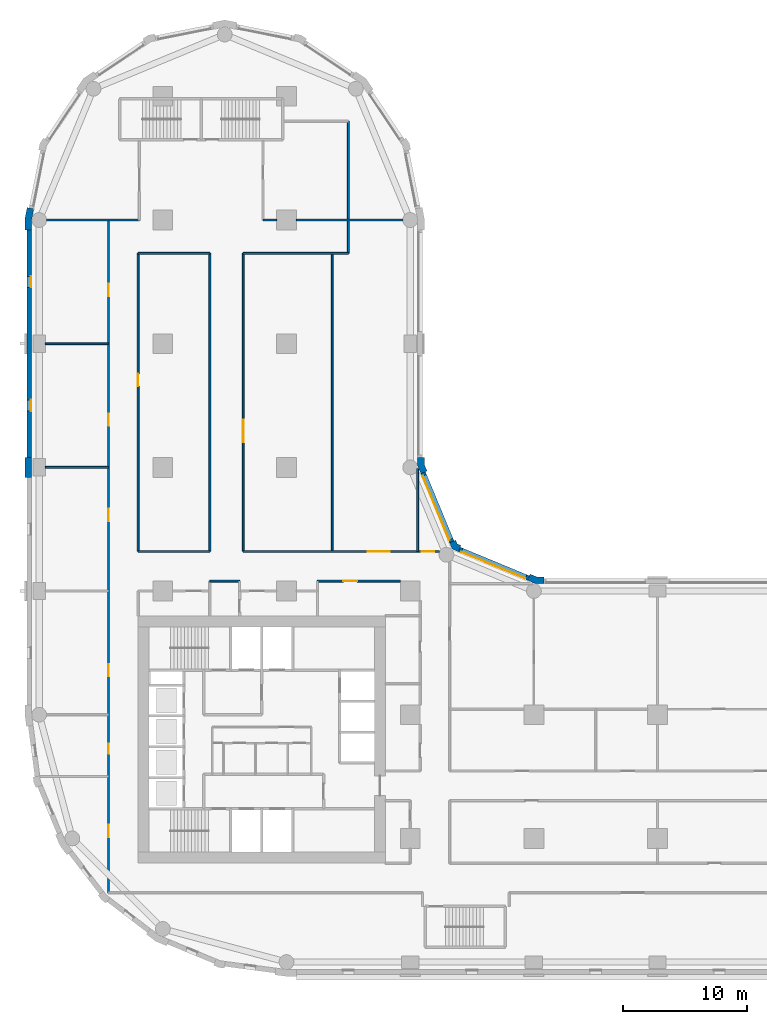
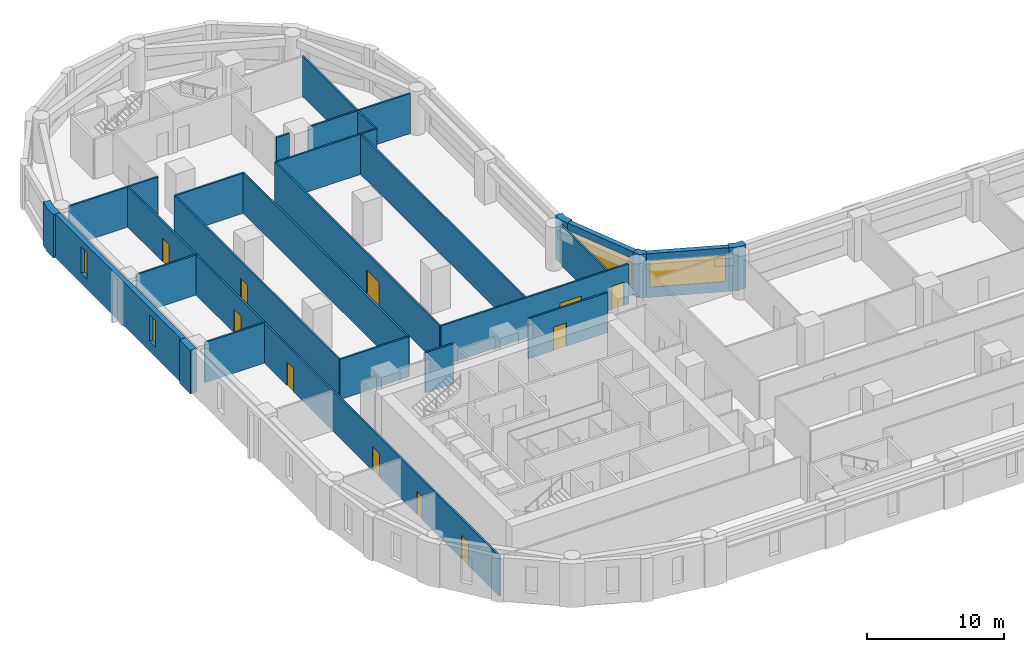
# One storey, part 5 of 10: 26 walls, 11 doors, 4 windows, 15 openings.
"""IFC4 building model written with IfcOpenShell, lengths in metres."""

import ifcopenshell
import ifcopenshell.guid

model = None  # the IFC model being written
_history = None  # IfcOwnerHistory: only IFC2X3 demands one
_inside = {}  # id of a spatial element -> (the spatial element, [elements in it])
_under = {}  # id of a project, library or spatial element -> (it, [spatial elements below it])
_declared = {}  # id of a project -> (the project, [libraries it declares])
_typed = {}  # id of a type object -> (the type object, [elements of that type])
_made_of = {}  # id of a material, layer set ... -> (it, [elements and type objects made of it])


def new_model(schema):
    """Start an empty IFC model of exactly this schema.

    Asked for "IFC4X3", IfcOpenShell would pick the latest addendum, in which some entities
    have other attributes; the version numbers below select the first issue.
    IFC2X3 requires an IfcOwnerHistory on every rooted entity: one is made here for all.
    """
    global model, _history
    if schema == "IFC4X3":
        model = ifcopenshell.file(schema_version=(4, 3, 0, 0))
    else:
        model = ifcopenshell.file(schema=schema)
    _inside.clear()
    _under.clear()
    _declared.clear()
    _typed.clear()
    _made_of.clear()
    _history = None
    if model.schema == "IFC2X3":
        org = make("IfcOrganization", Name="unknown")
        user = make(
            "IfcPersonAndOrganization",
            ThePerson=make("IfcPerson", FamilyName="unknown"),
            TheOrganization=org,
        )
        app = make(
            "IfcApplication",
            ApplicationDeveloper=org,
            Version="unknown",
            ApplicationFullName="unknown",
            ApplicationIdentifier="unknown",
        )
        _history = make(
            "IfcOwnerHistory",
            OwningUser=user,
            OwningApplication=app,
            ChangeAction="ADDED",
            CreationDate=0,
        )
    return model


def make(cls, **values):
    """One entity of the class cls with the attributes given. An attribute that is None is left unset."""
    return model.create_entity(
        cls, **{name: value for name, value in values.items() if value is not None}
    )


def rooted(cls, **values):
    """An entity with a GlobalId (a new one), such as an element, a storey or a relation."""
    return make(cls, GlobalId=ifcopenshell.guid.new(), OwnerHistory=_history, **values)


def si_unit(unit_type, name, prefix=None):
    """IfcSIUnit, for example si_unit("LENGTHUNIT", "METRE", prefix="MILLI")."""
    return make("IfcSIUnit", UnitType=unit_type, Prefix=prefix, Name=name)


def assignment(units):
    """IfcUnitAssignment: the units of a project."""
    return None if units is None else make("IfcUnitAssignment", Units=units)


def point(xyz):
    """IfcCartesianPoint."""
    return None if xyz is None else make("IfcCartesianPoint", Coordinates=xyz)


def direction(xyz):
    """IfcDirection."""
    return None if xyz is None else make("IfcDirection", DirectionRatios=xyz)


def frame(location, z_axis=None, x_axis=None):
    """IfcAxis2Placement3D, a coordinate frame: its origin and axes. An axis left out is left unset."""
    return make(
        "IfcAxis2Placement3D",
        Location=point(location),
        Axis=direction(z_axis),
        RefDirection=direction(x_axis),
    )


def frame_2d(location, x_axis=None):
    """IfcAxis2Placement2D, a coordinate frame in the plane: its origin and x axis."""
    return make(
        "IfcAxis2Placement2D", Location=point(location), RefDirection=direction(x_axis)
    )


def origin():
    """The frame at (0, 0, 0) with its axes left unset."""
    return frame((0.0, 0.0, 0.0))


def place(relative_to, where):
    """IfcLocalPlacement: puts the frame where relative to a parent placement (None: the world)."""
    return make(
        "IfcLocalPlacement", PlacementRelTo=relative_to, RelativePlacement=where
    )


def context(
    kind, dimensions, precision=None, world=None, true_north=None, identifier=None
):
    """IfcGeometricRepresentationContext, for example the 3D "Model" context."""
    return make(
        "IfcGeometricRepresentationContext",
        ContextIdentifier=identifier,
        ContextType=kind,
        CoordinateSpaceDimension=dimensions,
        Precision=precision,
        WorldCoordinateSystem=world,
        TrueNorth=true_north,
    )


def subcontext(parent, identifier, kind, view, scale=None):
    """IfcGeometricRepresentationSubContext, for example "Body" below "Model"."""
    return make(
        "IfcGeometricRepresentationSubContext",
        ContextIdentifier=identifier,
        ContextType=kind,
        ParentContext=parent,
        TargetScale=scale,
        TargetView=view,
    )


def project(units=None, contexts=None):
    """IfcProject with its units and contexts."""
    return rooted(
        "IfcProject",
        Name="project",
        RepresentationContexts=contexts,
        UnitsInContext=assignment(units),
    )


def spatial(cls, under=None, at=None, **own):
    """A site, building, storey or space (cls), placed at a placement, below another one or the project."""
    s = rooted(cls, ObjectPlacement=at, **own)
    if under is not None:
        _under.setdefault(under.id(), (under, []))[1].append(s)
    return s


def polyline(points):
    """IfcPolyline through the points."""
    return make("IfcPolyline", Points=[point(p) for p in points])


def profile(cls, at=None, kind="AREA", **sizes):
    """A parametric profile (cls). Its sizes go by their IFC names, for example OverallWidth=200.0."""
    return make(cls, ProfileType=kind, Position=at, **sizes)


def rectangle(**sizes):
    """IfcRectangleProfileDef."""
    return profile("IfcRectangleProfileDef", **sizes)


def outline(outer, holes=None, kind="AREA"):
    """IfcArbitraryClosedProfileDef: a profile drawn as a closed curve; with holes, ...WithVoids."""
    if holes is None:
        return make("IfcArbitraryClosedProfileDef", ProfileType=kind, OuterCurve=outer)
    return make(
        "IfcArbitraryProfileDefWithVoids",
        ProfileType=kind,
        OuterCurve=outer,
        InnerCurves=holes,
    )


def extrude(swept, where, along, depth):
    """IfcExtrudedAreaSolid: the profile swept, set in the frame where, extruded along a direction by depth."""
    return make(
        "IfcExtrudedAreaSolid",
        SweptArea=swept,
        Position=where,
        ExtrudedDirection=direction(along),
        Depth=depth,
    )


def shape(context_of_items, identifier, shape_type, items):
    """IfcShapeRepresentation: the items that make up one representation, for example the "Body"."""
    return make(
        "IfcShapeRepresentation",
        ContextOfItems=context_of_items,
        RepresentationIdentifier=identifier,
        RepresentationType=shape_type,
        Items=items,
    )


def material(Name=None, Category=None):
    """IfcMaterial."""
    return make("IfcMaterial", Name=Name, Category=Category)


def layer(
    of_material, thickness, ventilated=None, Name=None, Category=None, Priority=None
):
    """IfcMaterialLayer: one layer of a wall or slab, of a material (None: an air gap)."""
    return make(
        "IfcMaterialLayer",
        Material=of_material,
        LayerThickness=thickness,
        IsVentilated=ventilated,
        Name=Name,
        Category=Category,
        Priority=Priority,
    )


def layer_set(layers, Name=None):
    """IfcMaterialLayerSet."""
    return make("IfcMaterialLayerSet", MaterialLayers=layers, LayerSetName=Name)


def made_of(thing, what):
    """Note that an element or type object is made of a material, layer set ...; save() writes the relation."""
    if what is not None:
        _made_of.setdefault(what.id(), (what, []))[1].append(thing)
    return thing


def type_object(cls, material=None, **own):
    """A type object (cls), such as IfcWallType, which elements share."""
    return made_of(rooted(cls, **own), material)


def element(
    cls,
    number,
    at=None,
    inside=None,
    cuts=None,
    type_object=None,
    material=None,
    context=None,
    identifier="Body",
    shape_type=None,
    held_by="IfcProductDefinitionShape",
    body=None,
    shapes=None,
    **own,
):
    """One element of the class cls, such as IfcWall. Its Tag is "e" and its number.

    at: its placement. inside: the storey or other place that contains it. cuts: it is an
    opening in that element (IfcRelVoidsElement). A single representation is given by context,
    identifier, shape_type and body (its items); several are given by shapes. held_by: the class
    of the entity that holds the representations. save() writes the other relations.
    """
    e = rooted(cls, Tag="e%d" % number, ObjectPlacement=at, **own)
    if body is not None:
        shapes = [shape(context, identifier, shape_type, body)]
    if shapes is not None:
        e.Representation = make(held_by, Representations=shapes)
    if inside is not None:
        _inside.setdefault(inside.id(), (inside, []))[1].append(e)
    if cuts is not None:
        rooted(
            "IfcRelVoidsElement", RelatingBuildingElement=cuts, RelatedOpeningElement=e
        )
    if type_object is not None:
        _typed.setdefault(type_object.id(), (type_object, []))[1].append(e)
    return made_of(e, material)


def fill(opening, filler):
    """IfcRelFillsElement: the door or window that sits in an opening."""
    return rooted(
        "IfcRelFillsElement",
        RelatingOpeningElement=opening,
        RelatedBuildingElement=filler,
    )


def aggregate(whole, parts):
    """IfcRelAggregates: a whole, such as a stair, and the parts it consists of."""
    return rooted("IfcRelAggregates", RelatingObject=whole, RelatedObjects=parts)


def save(model, path):
    """Write the relations noted so far, then the file.

    IfcRelAggregates (storeys below a building ...), IfcRelContainedInSpatialStructure (elements
    in a storey), IfcRelDefinesByType, IfcRelAssociatesMaterial and IfcRelDeclares: one each for
    every whole, place, type object, material and project.
    """
    for whole, parts in _under.values():
        aggregate(whole, parts)
    for where, things in _inside.values():
        rooted(
            "IfcRelContainedInSpatialStructure",
            RelatedElements=things,
            RelatingStructure=where,
        )
    for kind, things in _typed.values():
        rooted("IfcRelDefinesByType", RelatedObjects=things, RelatingType=kind)
    for what, things in _made_of.values():
        rooted("IfcRelAssociatesMaterial", RelatedObjects=things, RelatingMaterial=what)
    for by, libraries in _declared.values():
        rooted("IfcRelDeclares", RelatingContext=by, RelatedDefinitions=libraries)
    model.write(path)


model = new_model("IFC4")

# Units and contexts
model_context = context("Model", 3, precision=1e-05, world=origin(), true_north=direction((0.0, 1.0)))
body_context = subcontext(model_context, "Body", "Model", "MODEL_VIEW")
ifc_project = project(units=[si_unit("LENGTHUNIT", "METRE"), si_unit("AREAUNIT", "SQUARE_METRE"), si_unit("VOLUMEUNIT", "CUBIC_METRE"), si_unit("PLANEANGLEUNIT", "RADIAN"), si_unit("MASSUNIT", "GRAM", prefix="KILO")], contexts=[model_context])

# Site, building, storey
site_placement = place(None, origin())
site = spatial("IfcSite", under=ifc_project, at=site_placement, CompositionType="ELEMENT")
building_placement = place(site_placement, origin())
building = spatial("IfcBuilding", under=site, at=building_placement, Name="Qaws Garden Tower", CompositionType="ELEMENT")
storey_placement = place(building_placement, frame((0.0, 0.0, 74.39990234375)))
storey = spatial("IfcBuildingStorey", under=building, at=storey_placement, Name="L18", CompositionType="ELEMENT", Elevation=74.39990234375)

# Wall, opening, window
ifc_material_1 = material(Name="Clay facing brick masonry", Category="masonry")
ifc_layer_1 = layer(ifc_material_1, 0.39990234375)
ifc_layer_set_1 = layer_set([ifc_layer_1], Name="Clay facing brick masonry")
wall_type_1 = type_object("IfcWallType", Name="Brick infill wall 400", PredefinedType="SOLIDWALL", material=ifc_layer_set_1)
wall_1_placement = place(storey_placement, frame((39.56689453125, 31.04541015625, 0.0), z_axis=(0.0, 0.0, 1.0), x_axis=(-0.923891000409, 0.382655745237, 0.0)))
wall_1 = element("IfcWall", 1, at=wall_1_placement, inside=storey, type_object=wall_type_1, Name="E-L18-infill-11", PredefinedType="SOLIDWALL", context=body_context, shape_type="SweptSolid", body=[
    extrude(rectangle(XDim=6.053466796875, YDim=0.39990234375, at=frame_2d((3.02685546875, 0.0))), origin(), (0.0, 0.0, 1.0), 3.900146484375),
])
opening_1_placement = place(wall_1_placement, frame((0.226806640625, 0.0, 0.89990234375)))
opening_1 = element("IfcOpeningElement", 2, at=opening_1_placement, cuts=wall_1, Name="Opening W04", PredefinedType="OPENING", context=body_context, shape_type="SweptSolid", body=[
    extrude(rectangle(XDim=5.60009765625, YDim=2.35009765625, at=frame_2d((2.800048828125, 1.175048828125))), frame((0.0, 0.2099609375, 0.0), z_axis=(0.0, -1.0, 0.0), x_axis=(1.0, 0.0, 0.0)), (0.0, 0.0, 1.0), 0.419921875),
])
ifc_material_2 = material(Name="Aluminium framed window, clear glazing", Category="aluminium")
window_type_1 = type_object("IfcWindowType", Name="Ribbon window 5600 x 2350", PartitioningType="DOUBLE_PANEL_VERTICAL", PredefinedType="WINDOW", material=ifc_material_2)
window_1_placement = place(opening_1_placement, origin())
window_1 = element("IfcWindow", 3, at=window_1_placement, inside=storey, type_object=window_type_1, Name="E-L18-window-11-0", OverallHeight=2.35009765625, OverallWidth=5.60009765625, PartitioningType="SINGLE_PANEL", PredefinedType="WINDOW", context=body_context, shape_type="SweptSolid", body=[
    extrude(rectangle(XDim=5.60009765625, YDim=2.35009765625, at=frame_2d((2.800048828125, 1.175048828125))), frame((0.0, 0.159912109375, 0.0), z_axis=(0.0, -1.0, 0.0), x_axis=(1.0, 0.0, 0.0)), (0.0, 0.0, 1.0), 0.06005859375),
])
fill(opening_1, window_1)

wall_2_placement = place(storey_placement, frame((33.36181640625, 33.97412109375, 0.0), z_axis=(0.0, 0.0, 1.0), x_axis=(-0.382655745237, 0.923891000409, 0.0)))
wall_2 = element("IfcWall", 4, at=wall_2_placement, inside=storey, type_object=wall_type_1, Name="E-L18-infill-12", PredefinedType="SOLIDWALL", context=body_context, shape_type="SweptSolid", body=[
    extrude(rectangle(XDim=6.053466796875, YDim=0.39990234375, at=frame_2d((3.02685546875, 0.0))), origin(), (0.0, 0.0, 1.0), 3.900146484375),
])
opening_2_placement = place(wall_2_placement, frame((0.226806640625, 0.0, 0.89990234375)))
opening_2 = element("IfcOpeningElement", 5, at=opening_2_placement, cuts=wall_2, Name="Opening W04", PredefinedType="OPENING", context=body_context, shape_type="SweptSolid", body=[
    extrude(rectangle(XDim=5.60009765625, YDim=2.35009765625, at=frame_2d((2.800048828125, 1.175048828125))), frame((0.0, 0.2099609375, 0.0), z_axis=(0.0, -1.0, 0.0), x_axis=(1.0, 0.0, 0.0)), (0.0, 0.0, 1.0), 0.419921875),
])
window_2_placement = place(opening_2_placement, origin())
window_2 = element("IfcWindow", 6, at=window_2_placement, inside=storey, type_object=window_type_1, Name="E-L18-window-12-0", OverallHeight=2.35009765625, OverallWidth=5.60009765625, PartitioningType="SINGLE_PANEL", PredefinedType="WINDOW", context=body_context, shape_type="SweptSolid", body=[
    extrude(rectangle(XDim=5.60009765625, YDim=2.35009765625, at=frame_2d((2.800048828125, 1.175048828125))), frame((0.0, 0.159912109375, 0.0), z_axis=(0.0, -1.0, 0.0), x_axis=(1.0, 0.0, 0.0)), (0.0, 0.0, 1.0), 0.06005859375),
])
fill(opening_2, window_2)

# Wall, openings, windows
wall_3_placement = place(storey_placement, frame((-0.800048828125, 59.199951171875, 0.0), z_axis=(0.0, 0.0, 1.0), x_axis=(0.0, -1.0, 0.0)))
wall_3 = element("IfcWall", 7, at=wall_3_placement, inside=storey, type_object=wall_type_1, Name="E-L18-infill-23", PredefinedType="SOLIDWALL", context=body_context, shape_type="SweptSolid", body=[
    extrude(rectangle(XDim=18.39990234375, YDim=0.39990234375, at=frame_2d((9.199951171875, 0.0))), origin(), (0.0, 0.0, 1.0), 3.900146484375),
])
opening_3_placement = place(wall_3_placement, frame((3.75, 0.0, 0.89990234375)))
opening_3 = element("IfcOpeningElement", 8, at=opening_3_placement, cuts=wall_3, Name="Opening W09", PredefinedType="OPENING", context=body_context, shape_type="SweptSolid", body=[
    extrude(rectangle(XDim=0.89990234375, YDim=2.35009765625, at=frame_2d((0.449951171875, 1.175048828125))), frame((0.0, 0.2099609375, 0.0), z_axis=(0.0, -1.0, 0.0), x_axis=(1.0, 0.0, 0.0)), (0.0, 0.0, 1.0), 0.419921875),
])
opening_4_placement = place(wall_3_placement, frame((13.75, 0.0, 0.89990234375)))
opening_4 = element("IfcOpeningElement", 9, at=opening_4_placement, cuts=wall_3, Name="Opening W09", PredefinedType="OPENING", context=body_context, shape_type="SweptSolid", body=[
    extrude(rectangle(XDim=0.89990234375, YDim=2.35009765625, at=frame_2d((0.449951171875, 1.175048828125))), frame((0.0, 0.2099609375, 0.0), z_axis=(0.0, -1.0, 0.0), x_axis=(1.0, 0.0, 0.0)), (0.0, 0.0, 1.0), 0.419921875),
])
ifc_material_3 = material(Name="Aluminium framed window, clear glazing", Category="aluminium")
window_type_2 = type_object("IfcWindowType", Name="Slit window 900 x 2350", PartitioningType="SINGLE_PANEL", PredefinedType="WINDOW", material=ifc_material_3)
window_3_placement = place(opening_3_placement, origin())
window_3 = element("IfcWindow", 10, at=window_3_placement, inside=storey, type_object=window_type_2, Name="E-L18-window-23-0", OverallHeight=2.35009765625, OverallWidth=0.89990234375, PartitioningType="SINGLE_PANEL", PredefinedType="WINDOW", context=body_context, shape_type="SweptSolid", body=[
    extrude(rectangle(XDim=0.89990234375, YDim=2.35009765625, at=frame_2d((0.449951171875, 1.175048828125))), frame((0.0, 0.159912109375, 0.0), z_axis=(0.0, -1.0, 0.0), x_axis=(1.0, 0.0, 0.0)), (0.0, 0.0, 1.0), 0.06005859375),
])
fill(opening_3, window_3)
window_4_placement = place(opening_4_placement, origin())
window_4 = element("IfcWindow", 11, at=window_4_placement, inside=storey, type_object=window_type_2, Name="E-L18-window-24-0", OverallHeight=2.35009765625, OverallWidth=0.89990234375, PartitioningType="SINGLE_PANEL", PredefinedType="WINDOW", context=body_context, shape_type="SweptSolid", body=[
    extrude(rectangle(XDim=0.89990234375, YDim=2.35009765625, at=frame_2d((0.449951171875, 1.175048828125))), frame((0.0, 0.159912109375, 0.0), z_axis=(0.0, -1.0, 0.0), x_axis=(1.0, 0.0, 0.0)), (0.0, 0.0, 1.0), 0.06005859375),
])
fill(opening_4, window_4)

# Walls
ifc_material_4 = material(Name="Clay facing brick masonry", Category="masonry")
ifc_layer_2 = layer(ifc_material_4, 0.550048828125)
ifc_layer_set_2 = layer_set([ifc_layer_2], Name="Clay facing brick masonry")
wall_type_2 = type_object("IfcWallType", Name="Brick pier 550 x 1600", PredefinedType="SOLIDWALL", material=ifc_layer_set_2)
placement = place(storey_placement, origin())
element("IfcWall", 12, at=placement, inside=storey, type_object=wall_type_2, Name="E-L18-pier-11", PredefinedType="SOLIDWALL", context=body_context, shape_type="SweptSolid", body=[
    extrude(outline(polyline([(40.800048828125, 31.0), (40.800048828125, 31.14990234375), (40.228759765625, 31.14990234375), (39.700927734375, 31.36865234375), (39.6435546875, 31.22998046875), (39.490478515625, 30.860595703125), (40.119384765625, 30.60009765625), (40.800048828125, 30.60009765625), (40.800048828125, 31.0)])), origin(), (0.0, 0.0, 1.0), 3.900146484375),
])
element("IfcWall", 13, at=placement, inside=storey, type_object=wall_type_2, Name="E-L18-pier-12", PredefinedType="SOLIDWALL", context=body_context, shape_type="SweptSolid", body=[
    extrude(outline(polyline([(34.05078125, 33.546630859375), (34.108154296875, 33.685302734375), (33.80908203125, 33.80908203125), (33.685302734375, 34.108154296875), (33.546630859375, 34.05078125), (33.177001953125, 33.897705078125), (33.38818359375, 33.38818359375), (33.897705078125, 33.177001953125), (34.05078125, 33.546630859375)])), origin(), (0.0, 0.0, 1.0), 3.900146484375),
])
element("IfcWall", 14, at=placement, inside=storey, type_object=wall_type_2, Name="E-L18-pier-13", PredefinedType="SOLIDWALL", context=body_context, shape_type="SweptSolid", body=[
    extrude(outline(polyline([(31.22998046875, 39.6435546875), (31.36865234375, 39.700927734375), (31.14990234375, 40.228759765625), (31.14990234375, 40.800048828125), (31.0, 40.800048828125), (30.60009765625, 40.800048828125), (30.60009765625, 40.119384765625), (30.860595703125, 39.490478515625), (31.22998046875, 39.6435546875)])), origin(), (0.0, 0.0, 1.0), 3.900146484375),
])
element("IfcWall", 15, at=placement, inside=storey, type_object=wall_type_2, Name="E-L18-pier-23", PredefinedType="SOLIDWALL", context=body_context, shape_type="SweptSolid", body=[
    extrude(outline(polyline([(-0.82470703125, 60.979736328125), (-0.971923828125, 61.009033203125), (-1.14990234375, 60.11328125), (-1.14990234375, 59.199951171875), (-1.0, 59.199951171875), (-0.60009765625, 59.199951171875), (-0.60009765625, 60.05908203125), (-0.432373046875, 60.901611328125), (-0.82470703125, 60.979736328125)])), origin(), (0.0, 0.0, 1.0), 3.900146484375),
])
element("IfcWall", 16, at=placement, inside=storey, type_object=wall_type_2, Name="E-L18-pier-25", PredefinedType="SOLIDWALL", context=body_context, shape_type="SweptSolid", body=[
    extrude(outline(polyline([(-1.0, 40.800048828125), (-1.14990234375, 40.800048828125), (-1.14990234375, 40.0), (-1.14990234375, 39.199951171875), (-1.0, 39.199951171875), (-0.60009765625, 39.199951171875), (-0.60009765625, 40.0), (-0.60009765625, 40.800048828125), (-1.0, 40.800048828125)])), origin(), (0.0, 0.0, 1.0), 3.900146484375),
])

# Wall, openings, doors
ifc_material_5 = material(Name="Gypsum board partition")
ifc_layer_3 = layer(ifc_material_5, 0.14990234375)
ifc_layer_set_3 = layer_set([ifc_layer_3], Name="Gypsum board partition")
wall_type_3 = type_object("IfcWallType", Name="PARTITION 150 EI 60", PredefinedType="PARTITIONING", material=ifc_layer_set_3)
wall_9_placement = place(storey_placement, frame((5.60009765625, 5.60009765625, 0.0), z_axis=(0.0, 0.0, 1.0), x_axis=(0.0, 1.0, 0.0)))
wall_9 = element("IfcWall", 17, at=wall_9_placement, inside=storey, type_object=wall_type_3, Name="O-L18-wall-004", PredefinedType="PARTITIONING", context=body_context, shape_type="SweptSolid", body=[
    extrude(rectangle(XDim=54.39990234375, YDim=0.14990234375, at=frame_2d((27.199951171875, 0.0))), origin(), (0.0, 0.0, 1.0), 3.580078125),
])
opening_5_placement = place(wall_9_placement, frame((4.5, 0.0, 0.0)))
opening_5 = element("IfcOpeningElement", 18, at=opening_5_placement, cuts=wall_9, Name="Opening A601", PredefinedType="OPENING", context=body_context, shape_type="SweptSolid", body=[
    extrude(rectangle(XDim=1.0, YDim=2.10009765625, at=frame_2d((0.5, 1.050048828125))), frame((0.0, 0.0849609375, 0.0), z_axis=(0.0, -1.0, 0.0), x_axis=(1.0, 0.0, 0.0)), (0.0, 0.0, 1.0), 0.169921875),
])
opening_6_placement = place(wall_9_placement, frame((11.25, 0.0, 0.0)))
opening_6 = element("IfcOpeningElement", 19, at=opening_6_placement, cuts=wall_9, Name="Opening A602", PredefinedType="OPENING", context=body_context, shape_type="SweptSolid", body=[
    extrude(rectangle(XDim=0.800048828125, YDim=2.10009765625, at=frame_2d((0.39990234375, 1.050048828125))), frame((0.0, 0.0849609375, 0.0), z_axis=(0.0, -1.0, 0.0), x_axis=(1.0, 0.0, 0.0)), (0.0, 0.0, 1.0), 0.169921875),
])
opening_7_placement = place(wall_9_placement, frame((17.5, 0.0, 0.0)))
opening_7 = element("IfcOpeningElement", 20, at=opening_7_placement, cuts=wall_9, Name="Opening A610", PredefinedType="OPENING", context=body_context, shape_type="SweptSolid", body=[
    extrude(rectangle(XDim=1.0, YDim=2.10009765625, at=frame_2d((0.5, 1.050048828125))), frame((0.0, 0.0849609375, 0.0), z_axis=(0.0, -1.0, 0.0), x_axis=(1.0, 0.0, 0.0)), (0.0, 0.0, 1.0), 0.169921875),
])
opening_8_placement = place(wall_9_placement, frame((30.050048828125, 0.0, 0.0)))
opening_8 = element("IfcOpeningElement", 21, at=opening_8_placement, cuts=wall_9, Name="Opening A619", PredefinedType="OPENING", context=body_context, shape_type="SweptSolid", body=[
    extrude(rectangle(XDim=1.0, YDim=2.10009765625, at=frame_2d((0.5, 1.050048828125))), frame((0.0, 0.0849609375, 0.0), z_axis=(0.0, -1.0, 0.0), x_axis=(1.0, 0.0, 0.0)), (0.0, 0.0, 1.0), 0.169921875),
])
opening_9_placement = place(wall_9_placement, frame((37.75, 0.0, 0.0)))
opening_9 = element("IfcOpeningElement", 22, at=opening_9_placement, cuts=wall_9, Name="Opening A620", PredefinedType="OPENING", context=body_context, shape_type="SweptSolid", body=[
    extrude(rectangle(XDim=1.0, YDim=2.10009765625, at=frame_2d((0.5, 1.050048828125))), frame((0.0, 0.0849609375, 0.0), z_axis=(0.0, -1.0, 0.0), x_axis=(1.0, 0.0, 0.0)), (0.0, 0.0, 1.0), 0.169921875),
])
opening_10_placement = place(wall_9_placement, frame((48.25, 0.0, 0.0)))
opening_10 = element("IfcOpeningElement", 23, at=opening_10_placement, cuts=wall_9, Name="Opening A621", PredefinedType="OPENING", context=body_context, shape_type="SweptSolid", body=[
    extrude(rectangle(XDim=1.0, YDim=2.10009765625, at=frame_2d((0.5, 1.050048828125))), frame((0.0, 0.0849609375, 0.0), z_axis=(0.0, -1.0, 0.0), x_axis=(1.0, 0.0, 0.0)), (0.0, 0.0, 1.0), 0.169921875),
])
ifc_material_6 = material(Name="Timber door leaf", Category="wood")
door_type_1 = type_object("IfcDoorType", Name="STORE DOOR 800 X 2100", OperationType="SINGLE_SWING_LEFT", PredefinedType="DOOR", material=ifc_material_6)
door_1_placement = place(opening_6_placement, origin())
door_1 = element("IfcDoor", 24, at=door_1_placement, inside=storey, type_object=door_type_1, Name="O-L18-door-002", OperationType="SINGLE_SWING_RIGHT", OverallHeight=2.10009765625, OverallWidth=0.800048828125, PredefinedType="DOOR", context=body_context, shape_type="SweptSolid", body=[
    extrude(rectangle(XDim=0.800048828125, YDim=2.10009765625, at=frame_2d((0.39990234375, 1.050048828125))), frame((0.0, 0.02490234375, 0.0), z_axis=(0.0, -1.0, 0.0), x_axis=(1.0, 0.0, 0.0)), (0.0, 0.0, 1.0), 0.050048828125),
])
fill(opening_6, door_1)
ifc_material_7 = material(Name="Timber door leaf", Category="wood")
door_type_2 = type_object("IfcDoorType", Name="TENANCY ENTRANCE DOOR 1000 X 2100", OperationType="SINGLE_SWING_LEFT", PredefinedType="DOOR", material=ifc_material_7)
door_2_placement = place(opening_5_placement, origin())
door_2 = element("IfcDoor", 25, at=door_2_placement, inside=storey, type_object=door_type_2, Name="O-L18-door-001", OperationType="SINGLE_SWING_RIGHT", OverallHeight=2.10009765625, OverallWidth=1.0, PredefinedType="DOOR", context=body_context, shape_type="SweptSolid", body=[
    extrude(rectangle(XDim=1.0, YDim=2.10009765625, at=frame_2d((0.5, 1.050048828125))), frame((0.0, 0.02490234375, 0.0), z_axis=(0.0, -1.0, 0.0), x_axis=(1.0, 0.0, 0.0)), (0.0, 0.0, 1.0), 0.050048828125),
])
fill(opening_5, door_2)
door_3_placement = place(opening_7_placement, origin())
door_3 = element("IfcDoor", 26, at=door_3_placement, inside=storey, type_object=door_type_2, Name="O-L18-door-010", OperationType="SINGLE_SWING_RIGHT", OverallHeight=2.10009765625, OverallWidth=1.0, PredefinedType="DOOR", context=body_context, shape_type="SweptSolid", body=[
    extrude(rectangle(XDim=1.0, YDim=2.10009765625, at=frame_2d((0.5, 1.050048828125))), frame((0.0, 0.02490234375, 0.0), z_axis=(0.0, -1.0, 0.0), x_axis=(1.0, 0.0, 0.0)), (0.0, 0.0, 1.0), 0.050048828125),
])
fill(opening_7, door_3)
door_4_placement = place(opening_8_placement, origin())
door_4 = element("IfcDoor", 27, at=door_4_placement, inside=storey, type_object=door_type_2, Name="O-L18-door-019", OperationType="SINGLE_SWING_LEFT", OverallHeight=2.10009765625, OverallWidth=1.0, PredefinedType="DOOR", context=body_context, shape_type="SweptSolid", body=[
    extrude(rectangle(XDim=1.0, YDim=2.10009765625, at=frame_2d((0.5, 1.050048828125))), frame((0.0, 0.02490234375, 0.0), z_axis=(0.0, -1.0, 0.0), x_axis=(1.0, 0.0, 0.0)), (0.0, 0.0, 1.0), 0.050048828125),
])
fill(opening_8, door_4)
door_5_placement = place(opening_9_placement, origin())
door_5 = element("IfcDoor", 28, at=door_5_placement, inside=storey, type_object=door_type_2, Name="O-L18-door-020", OperationType="SINGLE_SWING_LEFT", OverallHeight=2.10009765625, OverallWidth=1.0, PredefinedType="DOOR", context=body_context, shape_type="SweptSolid", body=[
    extrude(rectangle(XDim=1.0, YDim=2.10009765625, at=frame_2d((0.5, 1.050048828125))), frame((0.0, 0.02490234375, 0.0), z_axis=(0.0, -1.0, 0.0), x_axis=(1.0, 0.0, 0.0)), (0.0, 0.0, 1.0), 0.050048828125),
])
fill(opening_9, door_5)
door_6_placement = place(opening_10_placement, origin())
door_6 = element("IfcDoor", 29, at=door_6_placement, inside=storey, type_object=door_type_2, Name="O-L18-door-021", OperationType="SINGLE_SWING_LEFT", OverallHeight=2.10009765625, OverallWidth=1.0, PredefinedType="DOOR", context=body_context, shape_type="SweptSolid", body=[
    extrude(rectangle(XDim=1.0, YDim=2.10009765625, at=frame_2d((0.5, 1.050048828125))), frame((0.0, 0.02490234375, 0.0), z_axis=(0.0, -1.0, 0.0), x_axis=(1.0, 0.0, 0.0)), (0.0, 0.0, 1.0), 0.050048828125),
])
fill(opening_10, door_6)

# Wall, opening, door
wall_10_placement = place(storey_placement, frame((8.0, 33.199951171875, 0.0), z_axis=(0.0, 0.0, 1.0), x_axis=(0.0, 1.0, 0.0)))
wall_10 = element("IfcWall", 30, at=wall_10_placement, inside=storey, type_object=wall_type_3, Name="O-L18-wall-006", PredefinedType="PARTITIONING", context=body_context, shape_type="SweptSolid", body=[
    extrude(rectangle(XDim=24.10009765625, YDim=0.14990234375, at=frame_2d((12.050048828125, 0.0))), origin(), (0.0, 0.0, 1.0), 3.580078125),
])
opening_11_placement = place(wall_10_placement, frame((13.35009765625, 0.0, 0.0)))
opening_11 = element("IfcOpeningElement", 31, at=opening_11_placement, cuts=wall_10, Name="Opening A613", PredefinedType="OPENING", context=body_context, shape_type="SweptSolid", body=[
    extrude(rectangle(XDim=1.0, YDim=2.10009765625, at=frame_2d((0.5, 1.050048828125))), frame((0.0, 0.0849609375, 0.0), z_axis=(0.0, -1.0, 0.0), x_axis=(1.0, 0.0, 0.0)), (0.0, 0.0, 1.0), 0.169921875),
])
door_7_placement = place(opening_11_placement, frame((1.0, 0.0, 0.0), z_axis=(0.0, 0.0, 1.0), x_axis=(-1.0, 0.0, 0.0)))
door_7 = element("IfcDoor", 32, at=door_7_placement, inside=storey, type_object=door_type_2, Name="O-L18-door-013", OperationType="SINGLE_SWING_RIGHT", OverallHeight=2.10009765625, OverallWidth=1.0, PredefinedType="DOOR", context=body_context, shape_type="SweptSolid", body=[
    extrude(rectangle(XDim=1.0, YDim=2.10009765625, at=frame_2d((0.5, 1.050048828125))), frame((0.0, 0.02490234375, 0.0), z_axis=(0.0, -1.0, 0.0), x_axis=(1.0, 0.0, 0.0)), (0.0, 0.0, 1.0), 0.050048828125),
])
fill(opening_11, door_7)

# Wall
wall_11_placement = place(storey_placement, frame((13.800048828125, 33.199951171875, 0.0), z_axis=(0.0, 0.0, 1.0), x_axis=(0.0, 1.0, 0.0)))
element("IfcWall", 33, at=wall_11_placement, inside=storey, type_object=wall_type_3, Name="O-L18-wall-009", PredefinedType="PARTITIONING", context=body_context, shape_type="SweptSolid", body=[
    extrude(rectangle(XDim=24.10009765625, YDim=0.14990234375, at=frame_2d((12.050048828125, 0.0))), origin(), (0.0, 0.0, 1.0), 3.580078125),
])

# Wall, opening, door
wall_12_placement = place(storey_placement, frame((16.5, 33.199951171875, 0.0), z_axis=(0.0, 0.0, 1.0), x_axis=(0.0, 1.0, 0.0)))
wall_12 = element("IfcWall", 34, at=wall_12_placement, inside=storey, type_object=wall_type_3, Name="O-L18-wall-011", PredefinedType="PARTITIONING", context=body_context, shape_type="SweptSolid", body=[
    extrude(rectangle(XDim=24.10009765625, YDim=0.14990234375, at=frame_2d((12.050048828125, 0.0))), origin(), (0.0, 0.0, 1.0), 3.580078125),
])
opening_12_placement = place(wall_12_placement, frame((8.85009765625, 0.0, 0.0)))
opening_12 = element("IfcOpeningElement", 35, at=opening_12_placement, cuts=wall_12, Name="Opening A614", PredefinedType="OPENING", context=body_context, shape_type="SweptSolid", body=[
    extrude(rectangle(XDim=1.800048828125, YDim=2.10009765625, at=frame_2d((0.89990234375, 1.050048828125))), frame((0.0, 0.0849609375, 0.0), z_axis=(0.0, -1.0, 0.0), x_axis=(1.0, 0.0, 0.0)), (0.0, 0.0, 1.0), 0.169921875),
])
ifc_material_8 = material(Name="Timber door leaf", Category="wood")
door_type_3 = type_object("IfcDoorType", Name="DOUBLE DOOR 1800 X 2100", OperationType="DOUBLE_DOOR_SINGLE_SWING", PredefinedType="DOOR", material=ifc_material_8)
door_8_placement = place(opening_12_placement, frame((1.800048828125, 0.0, 0.0), z_axis=(0.0, 0.0, 1.0), x_axis=(-1.0, 0.0, 0.0)))
door_8 = element("IfcDoor", 36, at=door_8_placement, inside=storey, type_object=door_type_3, Name="O-L18-door-014", OperationType="DOUBLE_DOOR_SINGLE_SWING", OverallHeight=2.10009765625, OverallWidth=1.800048828125, PredefinedType="DOOR", context=body_context, shape_type="SweptSolid", body=[
    extrude(rectangle(XDim=1.800048828125, YDim=2.10009765625, at=frame_2d((0.89990234375, 1.050048828125))), frame((0.0, 0.02490234375, 0.0), z_axis=(0.0, -1.0, 0.0), x_axis=(1.0, 0.0, 0.0)), (0.0, 0.0, 1.0), 0.050048828125),
])
fill(opening_12, door_8)

# Walls
wall_13_placement = place(storey_placement, frame((23.699951171875, 33.199951171875, 0.0), z_axis=(0.0, 0.0, 1.0), x_axis=(0.0, 1.0, 0.0)))
element("IfcWall", 37, at=wall_13_placement, inside=storey, type_object=wall_type_3, Name="O-L18-wall-014", PredefinedType="PARTITIONING", context=body_context, shape_type="SweptSolid", body=[
    extrude(rectangle(XDim=24.10009765625, YDim=0.14990234375, at=frame_2d((12.050048828125, 0.0))), origin(), (0.0, 0.0, 1.0), 3.580078125),
])
wall_14_placement = place(storey_placement, frame((25.0, 57.300048828125, 0.0), z_axis=(0.0, 0.0, 1.0), x_axis=(0.0, 1.0, 0.0)))
element("IfcWall", 38, at=wall_14_placement, inside=storey, type_object=wall_type_3, Name="O-L18-wall-015", PredefinedType="PARTITIONING", context=body_context, shape_type="SweptSolid", body=[
    extrude(rectangle(XDim=10.699951171875, YDim=0.14990234375, at=frame_2d((5.35009765625, 0.0))), origin(), (0.0, 0.0, 1.0), 3.580078125),
])
wall_15_placement = place(storey_placement, frame((30.60009765625, 33.199951171875, 0.0), z_axis=(0.0, 0.0, 1.0), x_axis=(0.0, 1.0, 0.0)))
element("IfcWall", 39, at=wall_15_placement, inside=storey, type_object=wall_type_3, Name="O-L18-wall-018", PredefinedType="PARTITIONING", context=body_context, shape_type="SweptSolid", body=[
    extrude(rectangle(XDim=6.698974609375, YDim=0.14990234375, at=frame_2d((3.349609375, 0.0))), origin(), (0.0, 0.0, 1.0), 3.580078125),
])
wall_16_placement = place(storey_placement, frame((13.800048828125, 30.800048828125, 0.0), z_axis=(0.0, 0.0, 1.0), x_axis=(1.0, 0.0, 0.0)))
element("IfcWall", 40, at=wall_16_placement, inside=storey, type_object=wall_type_3, Name="O-L18-wall-054", PredefinedType="PARTITIONING", context=body_context, shape_type="SweptSolid", body=[
    extrude(rectangle(XDim=2.39990234375, YDim=0.14990234375, at=frame_2d((1.199951171875, 0.0))), origin(), (0.0, 0.0, 1.0), 3.580078125),
])

# Wall, opening, door
wall_17_placement = place(storey_placement, frame((22.5, 30.800048828125, 0.0), z_axis=(0.0, 0.0, 1.0), x_axis=(1.0, 0.0, 0.0)))
wall_17 = element("IfcWall", 41, at=wall_17_placement, inside=storey, type_object=wall_type_3, Name="O-L18-wall-055", PredefinedType="PARTITIONING", context=body_context, shape_type="SweptSolid", body=[
    extrude(rectangle(XDim=6.699951171875, YDim=0.14990234375, at=frame_2d((3.35009765625, 0.0))), origin(), (0.0, 0.0, 1.0), 3.580078125),
])
opening_13_placement = place(wall_17_placement, frame((2.10009765625, 0.0, 0.0)))
opening_13 = element("IfcOpeningElement", 42, at=opening_13_placement, cuts=wall_17, Name="Opening A612", PredefinedType="OPENING", context=body_context, shape_type="SweptSolid", body=[
    extrude(rectangle(XDim=1.10009765625, YDim=2.10009765625, at=frame_2d((0.550048828125, 1.050048828125))), frame((0.0, 0.0849609375, 0.0), z_axis=(0.0, -1.0, 0.0), x_axis=(1.0, 0.0, 0.0)), (0.0, 0.0, 1.0), 0.169921875),
])
ifc_material_9 = material(Name="Timber door leaf", Category="wood")
door_type_4 = type_object("IfcDoorType", Name="SERVICE ROOM DOOR 1100 X 2100", OperationType="SINGLE_SWING_LEFT", PredefinedType="DOOR", material=ifc_material_9)
door_9_placement = place(opening_13_placement, frame((1.10009765625, 0.0, 0.0), z_axis=(0.0, 0.0, 1.0), x_axis=(-1.0, 0.0, 0.0)))
door_9 = element("IfcDoor", 43, at=door_9_placement, inside=storey, type_object=door_type_4, Name="O-L18-door-012", OperationType="SINGLE_SWING_LEFT", OverallHeight=2.10009765625, OverallWidth=1.10009765625, PredefinedType="DOOR", context=body_context, shape_type="SweptSolid", body=[
    extrude(rectangle(XDim=1.10009765625, YDim=2.10009765625, at=frame_2d((0.550048828125, 1.050048828125))), frame((0.0, 0.02490234375, 0.0), z_axis=(0.0, -1.0, 0.0), x_axis=(1.0, 0.0, 0.0)), (0.0, 0.0, 1.0), 0.050048828125),
])
fill(opening_13, door_9)

# Wall
wall_18_placement = place(storey_placement, frame((8.0, 33.199951171875, 0.0), z_axis=(0.0, 0.0, 1.0), x_axis=(1.0, 0.0, 0.0)))
element("IfcWall", 44, at=wall_18_placement, inside=storey, type_object=wall_type_3, Name="O-L18-wall-056", PredefinedType="PARTITIONING", context=body_context, shape_type="SweptSolid", body=[
    extrude(rectangle(XDim=5.800048828125, YDim=0.14990234375, at=frame_2d((2.89990234375, 0.0))), origin(), (0.0, 0.0, 1.0), 3.580078125),
])

# Wall, openings, doors
wall_19_placement = place(storey_placement, frame((16.5, 33.199951171875, 0.0), z_axis=(0.0, 0.0, 1.0), x_axis=(1.0, 0.0, 0.0)))
wall_19 = element("IfcWall", 45, at=wall_19_placement, inside=storey, type_object=wall_type_3, Name="O-L18-wall-057", PredefinedType="PARTITIONING", context=body_context, shape_type="SweptSolid", body=[
    extrude(rectangle(XDim=15.862060546875, YDim=0.14990234375, at=frame_2d((7.93115234375, 0.0))), origin(), (0.0, 0.0, 1.0), 3.580078125),
])
opening_14_placement = place(wall_19_placement, frame((10.050048828125, 0.0, 0.0)))
opening_14 = element("IfcOpeningElement", 46, at=opening_14_placement, cuts=wall_19, Name="Opening A615", PredefinedType="OPENING", context=body_context, shape_type="SweptSolid", body=[
    extrude(rectangle(XDim=1.800048828125, YDim=2.10009765625, at=frame_2d((0.89990234375, 1.050048828125))), frame((0.0, 0.0849609375, 0.0), z_axis=(0.0, -1.0, 0.0), x_axis=(1.0, 0.0, 0.0)), (0.0, 0.0, 1.0), 0.169921875),
])
opening_15_placement = place(wall_19_placement, frame((14.449951171875, 0.0, 0.0)))
opening_15 = element("IfcOpeningElement", 47, at=opening_15_placement, cuts=wall_19, Name="Opening A618", PredefinedType="OPENING", context=body_context, shape_type="SweptSolid", body=[
    extrude(rectangle(XDim=1.0, YDim=2.10009765625, at=frame_2d((0.5, 1.050048828125))), frame((0.0, 0.0849609375, 0.0), z_axis=(0.0, -1.0, 0.0), x_axis=(1.0, 0.0, 0.0)), (0.0, 0.0, 1.0), 0.169921875),
])
door_10_placement = place(opening_14_placement, origin())
door_10 = element("IfcDoor", 48, at=door_10_placement, inside=storey, type_object=door_type_3, Name="O-L18-door-015", OperationType="DOUBLE_DOOR_SINGLE_SWING", OverallHeight=2.10009765625, OverallWidth=1.800048828125, PredefinedType="DOOR", context=body_context, shape_type="SweptSolid", body=[
    extrude(rectangle(XDim=1.800048828125, YDim=2.10009765625, at=frame_2d((0.89990234375, 1.050048828125))), frame((0.0, 0.02490234375, 0.0), z_axis=(0.0, -1.0, 0.0), x_axis=(1.0, 0.0, 0.0)), (0.0, 0.0, 1.0), 0.050048828125),
])
fill(opening_14, door_10)
door_11_placement = place(opening_15_placement, origin())
door_11 = element("IfcDoor", 49, at=door_11_placement, inside=storey, type_object=door_type_2, Name="O-L18-door-018", OperationType="SINGLE_SWING_LEFT", OverallHeight=2.10009765625, OverallWidth=1.0, PredefinedType="DOOR", context=body_context, shape_type="SweptSolid", body=[
    extrude(rectangle(XDim=1.0, YDim=2.10009765625, at=frame_2d((0.5, 1.050048828125))), frame((0.0, 0.02490234375, 0.0), z_axis=(0.0, -1.0, 0.0), x_axis=(1.0, 0.0, 0.0)), (0.0, 0.0, 1.0), 0.050048828125),
])
fill(opening_15, door_11)

# Walls
for number, where, z_axis, x_axis, name in (
    (50, (0.5, 40.0, 0.0), (0.0, 0.0, 1.0), (1.0, 0.0, 0.0), "O-L18-wall-058"),
    (51, (0.5, 50.0, 0.0), (0.0, 0.0, 1.0), (1.0, 0.0, 0.0), "O-L18-wall-059"),
):
    element("IfcWall", number, at=place(storey_placement, frame(where, z_axis=z_axis, x_axis=x_axis)), inside=storey, type_object=wall_type_3, Name=name, PredefinedType="PARTITIONING", context=body_context, shape_type="SweptSolid", body=[
        extrude(rectangle(XDim=5.10009765625, YDim=0.14990234375, at=frame_2d((2.550048828125, 0.0))), origin(), (0.0, 0.0, 1.0), 3.580078125),
    ])
wall_20_placement = place(storey_placement, frame((8.0, 57.300048828125, 0.0), z_axis=(0.0, 0.0, 1.0), x_axis=(1.0, 0.0, 0.0)))
element("IfcWall", 52, at=wall_20_placement, inside=storey, type_object=wall_type_3, Name="O-L18-wall-060", PredefinedType="PARTITIONING", context=body_context, shape_type="SweptSolid", body=[
    extrude(rectangle(XDim=5.800048828125, YDim=0.14990234375, at=frame_2d((2.89990234375, 0.0))), origin(), (0.0, 0.0, 1.0), 3.580078125),
])
wall_21_placement = place(storey_placement, frame((16.5, 57.300048828125, 0.0), z_axis=(0.0, 0.0, 1.0), x_axis=(1.0, 0.0, 0.0)))
element("IfcWall", 53, at=wall_21_placement, inside=storey, type_object=wall_type_3, Name="O-L18-wall-061", PredefinedType="PARTITIONING", context=body_context, shape_type="SweptSolid", body=[
    extrude(rectangle(XDim=8.5, YDim=0.14990234375, at=frame_2d((4.25, 0.0))), origin(), (0.0, 0.0, 1.0), 3.580078125),
])
wall_22_placement = place(storey_placement, frame((0.60009765625, 60.0, 0.0), z_axis=(0.0, 0.0, 1.0), x_axis=(1.0, 0.0, 0.0)))
element("IfcWall", 54, at=wall_22_placement, inside=storey, type_object=wall_type_3, Name="O-L18-wall-062", PredefinedType="PARTITIONING", context=body_context, shape_type="SweptSolid", body=[
    extrude(rectangle(XDim=7.5, YDim=0.14990234375, at=frame_2d((3.75, 0.0))), origin(), (0.0, 0.0, 1.0), 3.580078125),
])
wall_23_placement = place(storey_placement, frame((18.10009765625, 60.0, 0.0), z_axis=(0.0, 0.0, 1.0), x_axis=(1.0, 0.0, 0.0)))
element("IfcWall", 55, at=wall_23_placement, inside=storey, type_object=wall_type_3, Name="O-L18-wall-063", PredefinedType="PARTITIONING", context=body_context, shape_type="SweptSolid", body=[
    extrude(rectangle(XDim=1.099853515625, YDim=0.14990234375, at=frame_2d((0.5498046875, 0.0))), origin(), (0.0, 0.0, 1.0), 3.580078125),
])
wall_24_placement = place(storey_placement, frame((20.800048828125, 60.0, 0.0), z_axis=(0.0, 0.0, 1.0), x_axis=(1.0, 0.0, 0.0)))
element("IfcWall", 56, at=wall_24_placement, inside=storey, type_object=wall_type_3, Name="O-L18-wall-064", PredefinedType="PARTITIONING", context=body_context, shape_type="SweptSolid", body=[
    extrude(rectangle(XDim=8.599853515625, YDim=0.14990234375, at=frame_2d((4.2998046875, 0.0))), origin(), (0.0, 0.0, 1.0), 3.580078125),
])

save(model, "model.ifc")
